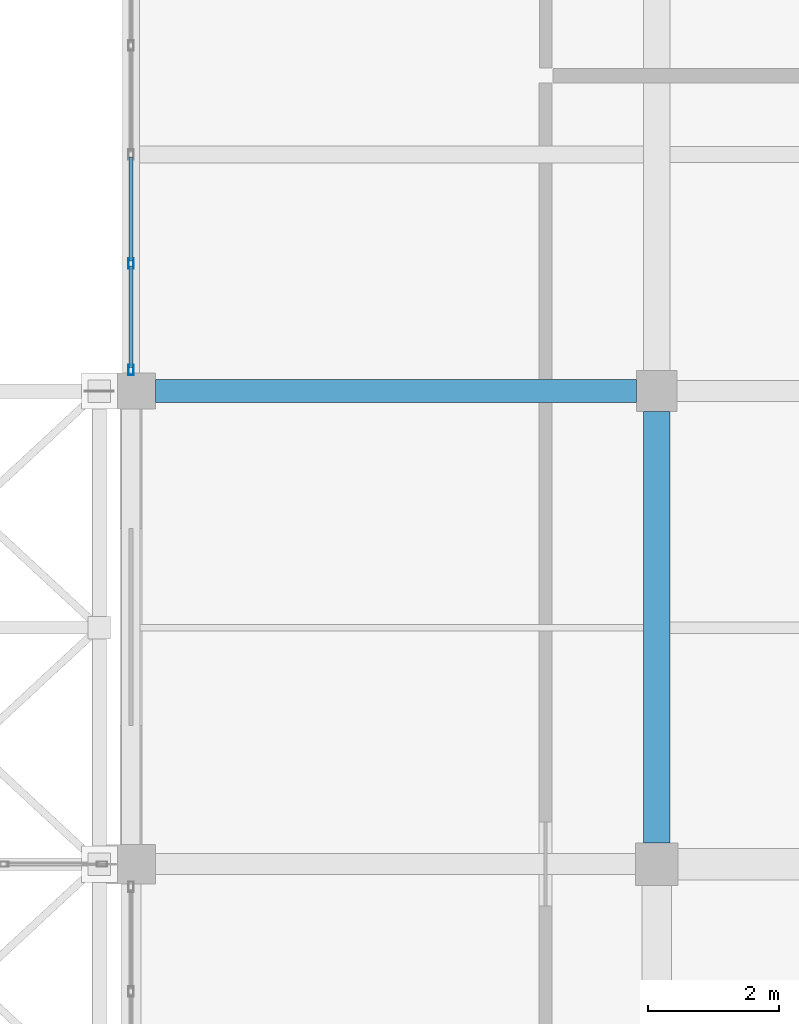
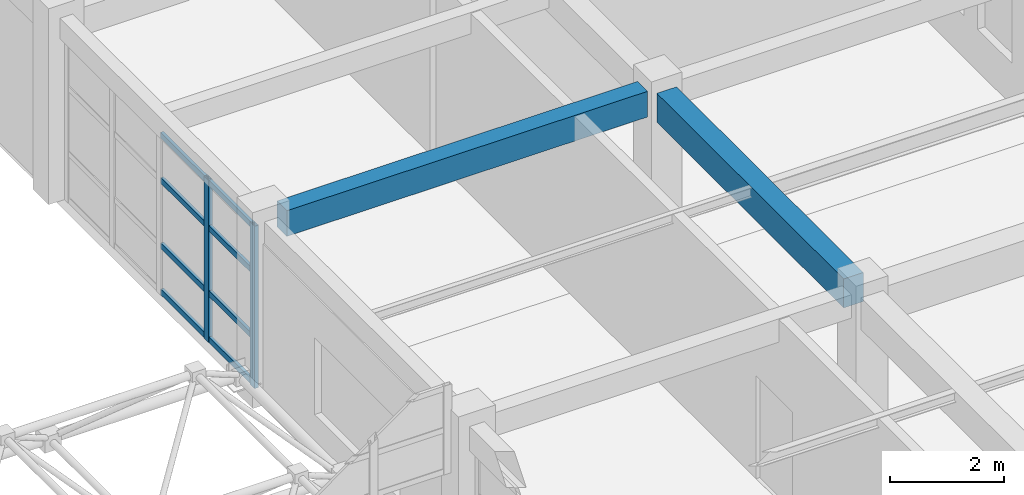
# One storey, part 106 of 195: 10 members, 2 beams, 1 element without a shape of its own.
"""IFC4 building model written with IfcOpenShell, lengths in metres."""

from ifc_helpers import new_model, si_unit, direction, frame, origin, origin_2d, place, context, subcontext, project, spatial, rectangle, hollow_rectangle, extrude, material, material_profile, profile_set, type_object, element, aggregate, save


model = new_model("IFC4")

# Units and contexts
model_context = context("Model", 3, precision=1e-05, world=origin(), true_north=direction((0.0, 1.0)))
body_context = subcontext(model_context, "Body", "Model", "MODEL_VIEW")
ifc_project = project(units=[si_unit("LENGTHUNIT", "METRE"), si_unit("AREAUNIT", "SQUARE_METRE"), si_unit("VOLUMEUNIT", "CUBIC_METRE"), si_unit("PLANEANGLEUNIT", "RADIAN"), si_unit("MASSUNIT", "GRAM", prefix="KILO")], contexts=[model_context])

# Site, building, storey
site_placement = place(None, origin())
site = spatial("IfcSite", under=ifc_project, at=site_placement, CompositionType="ELEMENT")
building_placement = place(site_placement, origin())
building = spatial("IfcBuilding", under=site, at=building_placement, Name="Kharva Crest Polytechnic", CompositionType="ELEMENT")
storey_placement = place(building_placement, frame((0.0, 0.0, 9.0)))
storey = spatial("IfcBuildingStorey", under=building, at=storey_placement, Name="L02", CompositionType="ELEMENT", Elevation=9.0)

# Beams
ifc_material_1 = material(Name="Concrete C35/45", Category="concrete")
ifc_material_profile_1 = material_profile(ifc_material_1, rectangle(XDim=0.35009765625, YDim=0.550048828125, at=origin_2d()), Name="RECT 350 X 550")
ifc_profile_set_1 = profile_set([ifc_material_profile_1], Name="Concrete C35/45")
beam_type_1 = type_object("IfcBeamType", Name="BM-RC-350X550", PredefinedType="BEAM", material=ifc_profile_set_1)
beam_1_placement = place(storey_placement, frame((32.375, 93.199951171875, 3.64501953125), z_axis=(1.0, 0.0, 0.0), x_axis=(0.0, 1.0, 0.0)))
element("IfcBeam", 1, at=beam_1_placement, inside=storey, type_object=beam_type_1, Name="L02 Beam N/5-6", PredefinedType="BEAM", context=body_context, shape_type="SweptSolid", body=[
    extrude(rectangle(XDim=0.35009765625, YDim=0.550048828125, at=origin_2d()), origin(), (0.0, 0.0, 1.0), 7.31494140625),
])
ifc_material_profile_2 = material_profile(ifc_material_1, rectangle(XDim=0.39990234375, YDim=0.6201171875, at=origin_2d()), Name="RECT 400 X 620")
ifc_profile_set_2 = profile_set([ifc_material_profile_2], Name="Concrete C35/45")
beam_type_2 = type_object("IfcBeamType", Name="BM-RC-400X620", PredefinedType="BEAM", material=ifc_profile_set_2)
beam_2_placement = place(storey_placement, frame((40.0, 86.324951171875, 3.610107421875), z_axis=(0.0, 1.0, 0.0), x_axis=(-1.0, 0.0, 0.0)))
element("IfcBeam", 2, at=beam_2_placement, inside=storey, type_object=beam_type_2, Name="L02 Girder 6/M-N", PredefinedType="BEAM", context=body_context, shape_type="SweptSolid", body=[
    extrude(rectangle(XDim=0.39990234375, YDim=0.6201171875, at=origin_2d()), origin(), (0.0, 0.0, 1.0), 6.56494140625),
])

# Curtain wall, members
ifc_material_2 = material(Name="Tempered insulated glass", Category="glass")
curtain_wall_type = type_object("IfcCurtainWallType", Name="CW-SYS-COURT", PredefinedType="USERDEFINED", material=ifc_material_2)
curtain_wall_placement = place(storey_placement, origin())
curtain_wall = element("IfcCurtainWall", 3, at=curtain_wall_placement, inside=storey, type_object=curtain_wall_type, Name="L02 Glazed Curtain Wall CW-124", ObjectType="CURTAIN WALL", PredefinedType="USERDEFINED")
ifc_material_3 = material(Name="Steel S355", Category="steel")
ifc_material_profile_3 = material_profile(ifc_material_3, hollow_rectangle(XDim=0.080078125, YDim=0.159912109375, WallThickness=0.0048828125, at=origin_2d()), Name="RHS 160X80X5.0")
ifc_profile_set_3 = profile_set([ifc_material_profile_3], Name="Steel S355")
member_type_1 = type_object("IfcMemberType", Name="CWM-RHS160X80", PredefinedType="MULLION", material=ifc_profile_set_3)
member_1_placement = place(storey_placement, frame((32.0, 95.139892578125, 0.0), z_axis=(0.0, 0.0, 1.0), x_axis=(1.0, 0.0, 0.0)))
member_1 = element("IfcMember", 4, at=member_1_placement, type_object=member_type_1, Name="CW-124 mullion 4", PredefinedType="MULLION", context=body_context, shape_type="SweptSolid", body=[
    extrude(hollow_rectangle(XDim=0.080078125, YDim=0.159912109375, WallThickness=0.0048828125, at=origin_2d()), origin(), (0.0, 0.0, 1.0), 3.47998046875),
])
member_2_placement = place(storey_placement, frame((32.0, 93.52001953125, 0.0), z_axis=(0.0, 0.0, 1.0), x_axis=(1.0, 0.0, 0.0)))
member_2 = element("IfcMember", 5, at=member_2_placement, type_object=member_type_1, Name="CW-124 mullion 5", PredefinedType="MULLION", context=body_context, shape_type="SweptSolid", body=[
    extrude(hollow_rectangle(XDim=0.080078125, YDim=0.159912109375, WallThickness=0.0048828125, at=origin_2d()), origin(), (0.0, 0.0, 1.0), 3.47998046875),
])
ifc_material_profile_4 = material_profile(ifc_material_3, hollow_rectangle(XDim=0.06005859375, YDim=0.1201171875, WallThickness=0.00390625, at=origin_2d()), Name="RHS 120X60X4.0")
ifc_profile_set_4 = profile_set([ifc_material_profile_4], Name="Steel S355")
member_type_2 = type_object("IfcMemberType", Name="CWT-RHS120X60", PredefinedType="USERDEFINED", material=ifc_profile_set_4)
member_3_placement = place(storey_placement, frame((32.0, 96.760009765625, 0.06005859375), z_axis=(0.0, -1.0, 0.0), x_axis=(1.0, 0.0, 0.0)))
member_3 = element("IfcMember", 6, at=member_3_placement, type_object=member_type_2, Name="CW-124 transom 3.1", ObjectType="TRANSOM", PredefinedType="USERDEFINED", context=body_context, shape_type="SweptSolid", body=[
    extrude(hollow_rectangle(XDim=0.06005859375, YDim=0.1201171875, WallThickness=0.00390625, at=origin_2d()), origin(), (0.0, 0.0, 1.0), 1.580078125),
])
member_4_placement = place(storey_placement, frame((32.0, 96.760009765625, 1.050048828125), z_axis=(0.0, -1.0, 0.0), x_axis=(1.0, 0.0, 0.0)))
member_4 = element("IfcMember", 7, at=member_4_placement, type_object=member_type_2, Name="CW-124 transom 3.2", ObjectType="TRANSOM", PredefinedType="USERDEFINED", context=body_context, shape_type="SweptSolid", body=[
    extrude(hollow_rectangle(XDim=0.06005859375, YDim=0.1201171875, WallThickness=0.00390625, at=origin_2d()), origin(), (0.0, 0.0, 1.0), 1.580078125),
])
member_5_placement = place(storey_placement, frame((32.0, 96.760009765625, 2.449951171875), z_axis=(0.0, -1.0, 0.0), x_axis=(1.0, 0.0, 0.0)))
member_5 = element("IfcMember", 8, at=member_5_placement, type_object=member_type_2, Name="CW-124 transom 3.3", ObjectType="TRANSOM", PredefinedType="USERDEFINED", context=body_context, shape_type="SweptSolid", body=[
    extrude(hollow_rectangle(XDim=0.06005859375, YDim=0.1201171875, WallThickness=0.00390625, at=origin_2d()), origin(), (0.0, 0.0, 1.0), 1.580078125),
])
member_6_placement = place(storey_placement, frame((32.0, 96.760009765625, 3.419921875), z_axis=(0.0, -1.0, 0.0), x_axis=(1.0, 0.0, 0.0)))
member_6 = element("IfcMember", 9, at=member_6_placement, type_object=member_type_2, Name="CW-124 transom 3.4", ObjectType="TRANSOM", PredefinedType="USERDEFINED", context=body_context, shape_type="SweptSolid", body=[
    extrude(hollow_rectangle(XDim=0.06005859375, YDim=0.1201171875, WallThickness=0.00390625, at=origin_2d()), origin(), (0.0, 0.0, 1.0), 1.580078125),
])
member_7_placement = place(storey_placement, frame((32.0, 95.10009765625, 0.06005859375), z_axis=(0.0, -1.0, 0.0), x_axis=(1.0, 0.0, 0.0)))
member_7 = element("IfcMember", 10, at=member_7_placement, type_object=member_type_2, Name="CW-124 transom 4.1", ObjectType="TRANSOM", PredefinedType="USERDEFINED", context=body_context, shape_type="SweptSolid", body=[
    extrude(hollow_rectangle(XDim=0.06005859375, YDim=0.1201171875, WallThickness=0.00390625, at=origin_2d()), origin(), (0.0, 0.0, 1.0), 1.5400390625),
])
member_8_placement = place(storey_placement, frame((32.0, 95.10009765625, 1.050048828125), z_axis=(0.0, -1.0, 0.0), x_axis=(1.0, 0.0, 0.0)))
member_8 = element("IfcMember", 11, at=member_8_placement, type_object=member_type_2, Name="CW-124 transom 4.2", ObjectType="TRANSOM", PredefinedType="USERDEFINED", context=body_context, shape_type="SweptSolid", body=[
    extrude(hollow_rectangle(XDim=0.06005859375, YDim=0.1201171875, WallThickness=0.00390625, at=origin_2d()), origin(), (0.0, 0.0, 1.0), 1.5400390625),
])
member_9_placement = place(storey_placement, frame((32.0, 95.10009765625, 2.449951171875), z_axis=(0.0, -1.0, 0.0), x_axis=(1.0, 0.0, 0.0)))
member_9 = element("IfcMember", 12, at=member_9_placement, type_object=member_type_2, Name="CW-124 transom 4.3", ObjectType="TRANSOM", PredefinedType="USERDEFINED", context=body_context, shape_type="SweptSolid", body=[
    extrude(hollow_rectangle(XDim=0.06005859375, YDim=0.1201171875, WallThickness=0.00390625, at=origin_2d()), origin(), (0.0, 0.0, 1.0), 1.5400390625),
])
member_10_placement = place(storey_placement, frame((32.0, 95.10009765625, 3.419921875), z_axis=(0.0, -1.0, 0.0), x_axis=(1.0, 0.0, 0.0)))
member_10 = element("IfcMember", 13, at=member_10_placement, type_object=member_type_2, Name="CW-124 transom 4.4", ObjectType="TRANSOM", PredefinedType="USERDEFINED", context=body_context, shape_type="SweptSolid", body=[
    extrude(hollow_rectangle(XDim=0.06005859375, YDim=0.1201171875, WallThickness=0.00390625, at=origin_2d()), origin(), (0.0, 0.0, 1.0), 1.5400390625),
])
aggregate(curtain_wall, [member_1, member_2, member_3, member_4, member_5, member_6, member_7, member_8, member_9, member_10])

save(model, "model.ifc")
